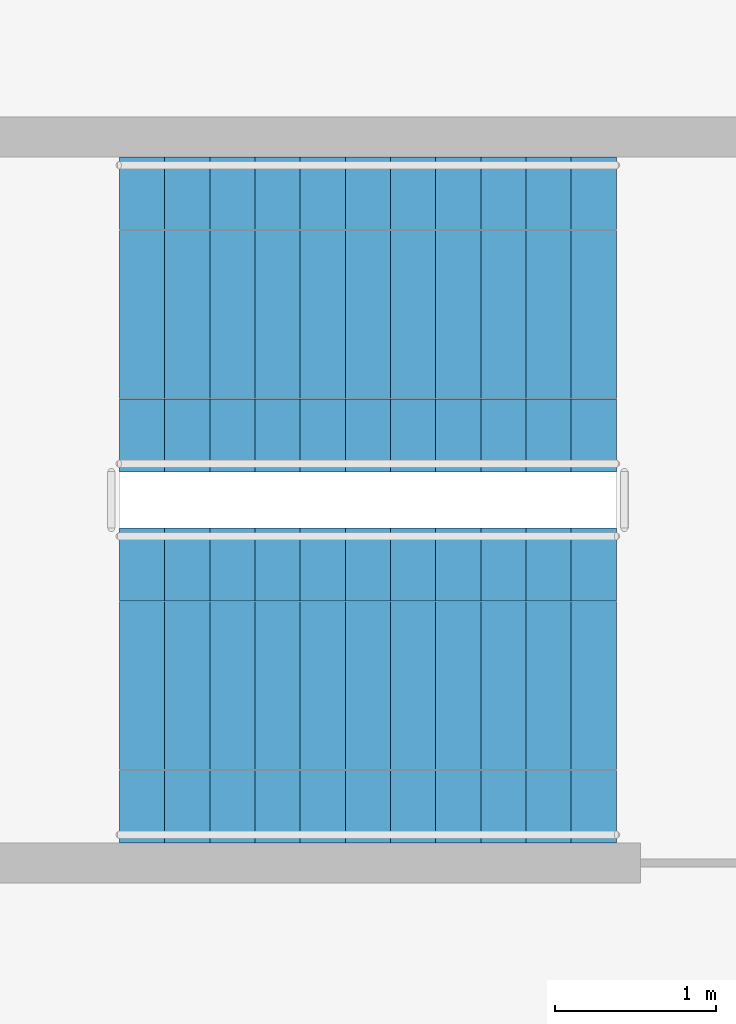
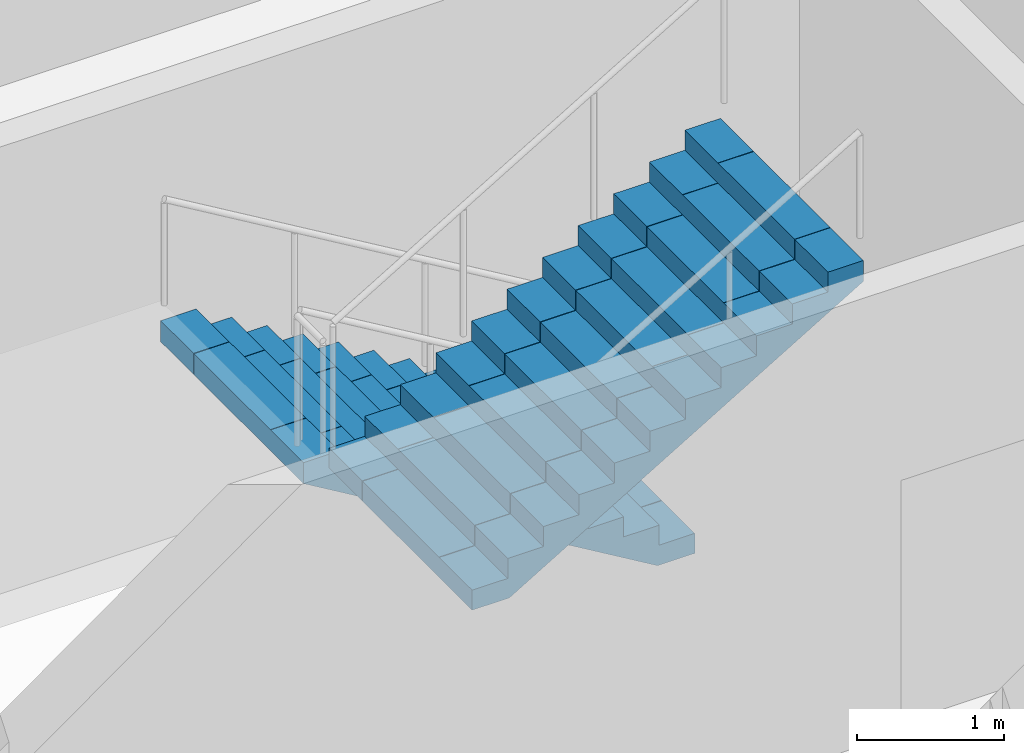
# One storey, part 12 of 13: 2 stair flights, 1 element without a shape of its own.
"""IFC4 building model written with IfcOpenShell, lengths in metres."""

from ifc_helpers import new_model, si_unit, direction, frame, origin, place, context, subcontext, project, spatial, polyline, outline, extrude, material, type_object, element, aggregate, save


model = new_model("IFC4")

# Units and contexts
model_context = context("Model", 3, precision=1e-05, world=origin(), true_north=direction((0.0, 1.0)))
body_context = subcontext(model_context, "Body", "Model", "MODEL_VIEW")
ifc_project = project(units=[si_unit("LENGTHUNIT", "METRE"), si_unit("AREAUNIT", "SQUARE_METRE"), si_unit("VOLUMEUNIT", "CUBIC_METRE"), si_unit("PLANEANGLEUNIT", "RADIAN"), si_unit("MASSUNIT", "GRAM", prefix="KILO")], contexts=[model_context])

# Site, building, storey
site_placement = place(None, origin())
site = spatial("IfcSite", under=ifc_project, at=site_placement, CompositionType="ELEMENT")
building_placement = place(site_placement, origin())
building = spatial("IfcBuilding", under=site, at=building_placement, Name="Corbelhall Arena Tower", CompositionType="ELEMENT")
storey_placement = place(building_placement, frame((0.0, 0.0, 282.0)))
storey = spatial("IfcBuildingStorey", under=building, at=storey_placement, Name="L61", CompositionType="ELEMENT", Elevation=282.0)

# Stair, stair flights
ifc_material = material(Name="Concrete C40/50", Category="concrete")
stair_type = type_object("IfcStairType", Name="IN-ST-TOWER", PredefinedType="HALF_TURN_STAIR", material=ifc_material)
stair_placement = place(storey_placement, origin())
stair = element("IfcStair", 1, at=stair_placement, inside=storey, type_object=stair_type, Name="L61 Exit stair ST3", PredefinedType="HALF_TURN_STAIR")
stair_flight_type = type_object("IfcStairFlightType", Name="IN-SFL-RC", PredefinedType="STRAIGHT", material=ifc_material)
stair_flight_1_placement = place(storey_placement, frame((11.425048828125, 15.699951171875, 0.0), z_axis=(0.0, 0.0, 1.0), x_axis=(-1.0, 0.0, 0.0)))
stair_flight_1 = element("IfcStairFlight", 2, at=stair_flight_1_placement, type_object=stair_flight_type, Name="ST3 flight 1", NumberOfRisers=12, NumberOfTreads=11, PredefinedType="STRAIGHT", RiserHeight=0.166666667, TreadLength=0.28, context=body_context, shape_type="SweptSolid", body=[
    extrude(outline(polyline([(0.0, 0.0), (0.0, 0.166748046875), (0.280029296875, 0.166748046875), (0.280029296875, 0.333251953125), (0.56005859375, 0.333251953125), (0.56005859375, 0.5), (0.840087890625, 0.5), (0.840087890625, 0.666748046875), (1.1201171875, 0.666748046875), (1.1201171875, 0.833251953125), (1.39990234375, 0.833251953125), (1.39990234375, 1.0), (1.679931640625, 1.0), (1.679931640625, 1.166748046875), (1.9599609375, 1.166748046875), (1.9599609375, 1.333251953125), (2.239990234375, 1.333251953125), (2.239990234375, 1.5), (2.52001953125, 1.5), (2.52001953125, 1.666748046875), (2.800048828125, 1.666748046875), (2.800048828125, 1.833251953125), (3.080078125, 1.833251953125), (3.080078125, 2.0), (3.080078125, 1.658935546875), (0.29296875, 0.0), (0.0, 0.0)])), frame((0.0, 0.97509765625, 0.0), z_axis=(0.0, -1.0, 0.0), x_axis=(1.0, 0.0, 0.0)), (0.0, 0.0, 1.0), 0.449951171875),
    extrude(outline(polyline([(0.0, 0.0), (0.0, 0.166748046875), (0.280029296875, 0.166748046875), (0.280029296875, 0.333251953125), (0.56005859375, 0.333251953125), (0.56005859375, 0.5), (0.840087890625, 0.5), (0.840087890625, 0.666748046875), (1.1201171875, 0.666748046875), (1.1201171875, 0.833251953125), (1.39990234375, 0.833251953125), (1.39990234375, 1.0), (1.679931640625, 1.0), (1.679931640625, 1.166748046875), (1.9599609375, 1.166748046875), (1.9599609375, 1.333251953125), (2.239990234375, 1.333251953125), (2.239990234375, 1.5), (2.52001953125, 1.5), (2.52001953125, 1.666748046875), (2.800048828125, 1.666748046875), (2.800048828125, 1.833251953125), (3.080078125, 1.833251953125), (3.080078125, 2.0), (3.080078125, 1.658935546875), (0.29296875, 0.0), (0.0, 0.0)])), frame((0.0, 0.52099609375, 0.0), z_axis=(0.0, -1.0, 0.0), x_axis=(1.0, 0.0, 0.0)), (0.0, 0.0, 1.0), 1.0419921875),
    extrude(outline(polyline([(0.0, 0.0), (0.0, 0.166748046875), (0.280029296875, 0.166748046875), (0.280029296875, 0.333251953125), (0.56005859375, 0.333251953125), (0.56005859375, 0.5), (0.840087890625, 0.5), (0.840087890625, 0.666748046875), (1.1201171875, 0.666748046875), (1.1201171875, 0.833251953125), (1.39990234375, 0.833251953125), (1.39990234375, 1.0), (1.679931640625, 1.0), (1.679931640625, 1.166748046875), (1.9599609375, 1.166748046875), (1.9599609375, 1.333251953125), (2.239990234375, 1.333251953125), (2.239990234375, 1.5), (2.52001953125, 1.5), (2.52001953125, 1.666748046875), (2.800048828125, 1.666748046875), (2.800048828125, 1.833251953125), (3.080078125, 1.833251953125), (3.080078125, 2.0), (3.080078125, 1.658935546875), (0.29296875, 0.0), (0.0, 0.0)])), frame((0.0, -0.52490234375, 0.0), z_axis=(0.0, -1.0, 0.0), x_axis=(1.0, 0.0, 0.0)), (0.0, 0.0, 1.0), 0.449951171875),
])
stair_flight_2_placement = place(storey_placement, frame((8.344970703125, 13.39990234375, 2.0), z_axis=(0.0, 0.0, 1.0), x_axis=(1.0, 0.0, 0.0)))
stair_flight_2 = element("IfcStairFlight", 3, at=stair_flight_2_placement, type_object=stair_flight_type, Name="ST3 flight 2", NumberOfRisers=12, NumberOfTreads=11, PredefinedType="STRAIGHT", RiserHeight=0.166666667, TreadLength=0.28, context=body_context, shape_type="SweptSolid", body=[
    extrude(outline(polyline([(0.0, 0.0), (0.0, 0.166748046875), (0.280029296875, 0.166748046875), (0.280029296875, 0.333251953125), (0.56005859375, 0.333251953125), (0.56005859375, 0.5), (0.840087890625, 0.5), (0.840087890625, 0.666748046875), (1.1201171875, 0.666748046875), (1.1201171875, 0.833251953125), (1.39990234375, 0.833251953125), (1.39990234375, 1.0), (1.679931640625, 1.0), (1.679931640625, 1.166748046875), (1.9599609375, 1.166748046875), (1.9599609375, 1.333251953125), (2.239990234375, 1.333251953125), (2.239990234375, 1.5), (2.52001953125, 1.5), (2.52001953125, 1.666748046875), (2.800048828125, 1.666748046875), (2.800048828125, 1.833251953125), (3.080078125, 1.833251953125), (3.080078125, 2.0), (3.080078125, 1.658935546875), (0.29296875, 0.0), (0.0, 0.0)])), frame((0.0, 0.97509765625, 0.0), z_axis=(0.0, -1.0, 0.0), x_axis=(1.0, 0.0, 0.0)), (0.0, 0.0, 1.0), 0.449951171875),
    extrude(outline(polyline([(0.0, 0.0), (0.0, 0.166748046875), (0.280029296875, 0.166748046875), (0.280029296875, 0.333251953125), (0.56005859375, 0.333251953125), (0.56005859375, 0.5), (0.840087890625, 0.5), (0.840087890625, 0.666748046875), (1.1201171875, 0.666748046875), (1.1201171875, 0.833251953125), (1.39990234375, 0.833251953125), (1.39990234375, 1.0), (1.679931640625, 1.0), (1.679931640625, 1.166748046875), (1.9599609375, 1.166748046875), (1.9599609375, 1.333251953125), (2.239990234375, 1.333251953125), (2.239990234375, 1.5), (2.52001953125, 1.5), (2.52001953125, 1.666748046875), (2.800048828125, 1.666748046875), (2.800048828125, 1.833251953125), (3.080078125, 1.833251953125), (3.080078125, 2.0), (3.080078125, 1.658935546875), (0.29296875, 0.0), (0.0, 0.0)])), frame((0.0, 0.52099609375, 0.0), z_axis=(0.0, -1.0, 0.0), x_axis=(1.0, 0.0, 0.0)), (0.0, 0.0, 1.0), 1.0419921875),
    extrude(outline(polyline([(0.0, 0.0), (0.0, 0.166748046875), (0.280029296875, 0.166748046875), (0.280029296875, 0.333251953125), (0.56005859375, 0.333251953125), (0.56005859375, 0.5), (0.840087890625, 0.5), (0.840087890625, 0.666748046875), (1.1201171875, 0.666748046875), (1.1201171875, 0.833251953125), (1.39990234375, 0.833251953125), (1.39990234375, 1.0), (1.679931640625, 1.0), (1.679931640625, 1.166748046875), (1.9599609375, 1.166748046875), (1.9599609375, 1.333251953125), (2.239990234375, 1.333251953125), (2.239990234375, 1.5), (2.52001953125, 1.5), (2.52001953125, 1.666748046875), (2.800048828125, 1.666748046875), (2.800048828125, 1.833251953125), (3.080078125, 1.833251953125), (3.080078125, 2.0), (3.080078125, 1.658935546875), (0.29296875, 0.0), (0.0, 0.0)])), frame((0.0, -0.52490234375, 0.0), z_axis=(0.0, -1.0, 0.0), x_axis=(1.0, 0.0, 0.0)), (0.0, 0.0, 1.0), 0.449951171875),
])
aggregate(stair, [stair_flight_1, stair_flight_2])

save(model, "model.ifc")
